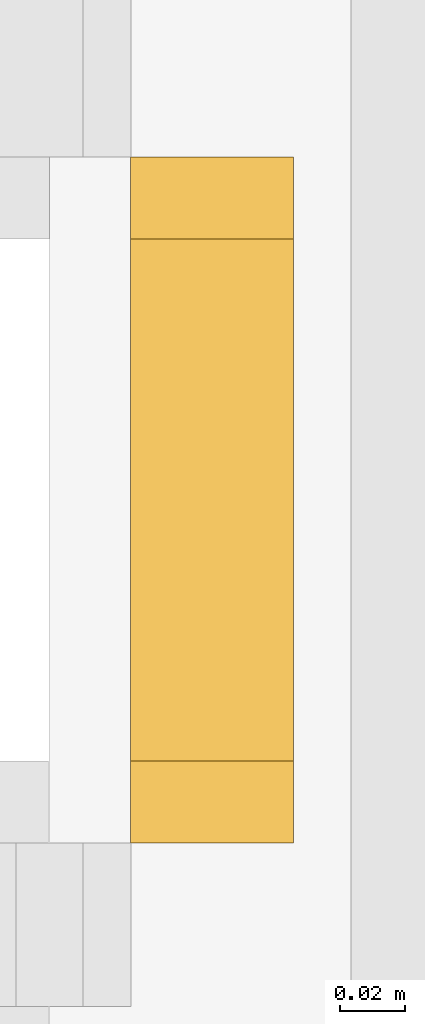
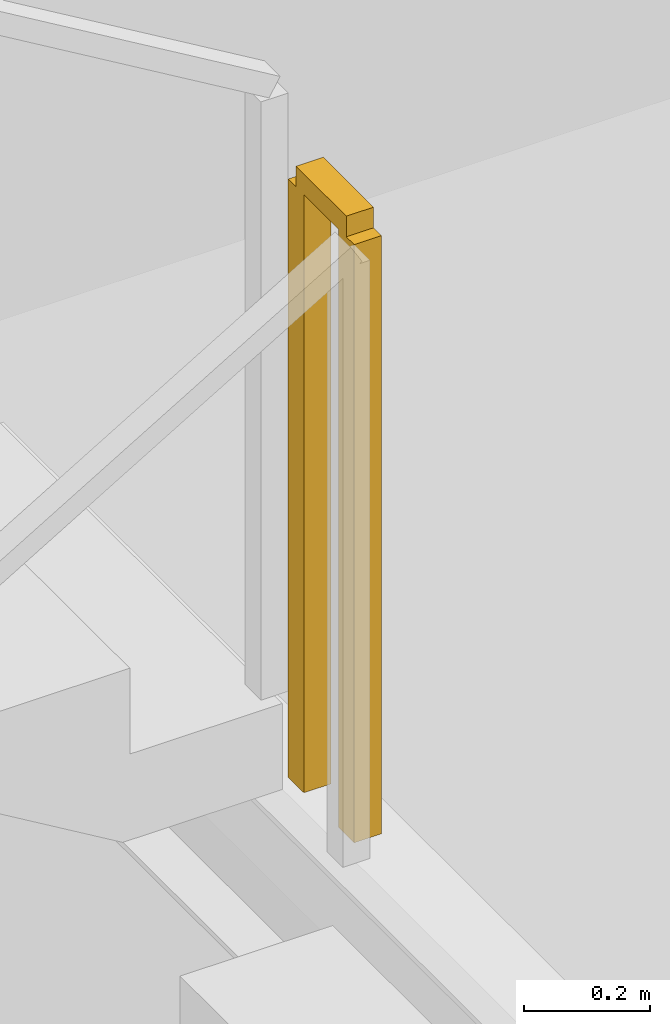
# One storey, part 39 of 42: 1 railing.
"""IFC4 building model written with IfcOpenShell, lengths in metres."""

from ifc_helpers import new_model, si_unit, direction, frame, origin, origin_2d, place, context, subcontext, project, spatial, rectangle, extrude, material, type_object, element, save


model = new_model("IFC4")

# Units and contexts
model_context = context("Model", 3, precision=1e-05, world=origin(), true_north=direction((0.0, 1.0)))
body_context = subcontext(model_context, "Body", "Model", "MODEL_VIEW")
ifc_project = project(units=[si_unit("LENGTHUNIT", "METRE"), si_unit("AREAUNIT", "SQUARE_METRE"), si_unit("VOLUMEUNIT", "CUBIC_METRE"), si_unit("PLANEANGLEUNIT", "RADIAN"), si_unit("MASSUNIT", "GRAM", prefix="KILO")], contexts=[model_context])

# Site, building, storey
site_placement = place(None, origin())
site = spatial("IfcSite", under=ifc_project, at=site_placement, CompositionType="ELEMENT")
building_placement = place(site_placement, origin())
building = spatial("IfcBuilding", under=site, at=building_placement, Name="Qianvela Tower", CompositionType="ELEMENT")
storey_placement = place(building_placement, frame((0.0, 0.0, 6.0)))
storey = spatial("IfcBuildingStorey", under=building, at=storey_placement, Name="L01", CompositionType="ELEMENT", Elevation=6.0)

# Railing
ifc_material = material(Name="Painted Tubular Steel Q355B", Category="steel")
railing_type = type_object("IfcRailingType", Name="RL-STAIR-GUARD-1200", PredefinedType="GUARDRAIL", material=ifc_material)
railing_placement = place(storey_placement, frame((35.389892578125, 26.35009765625, 2.5)))
element("IfcRailing", 1, at=railing_placement, inside=storey, type_object=railing_type, Name="L01 ST-2 stair guard 2", PredefinedType="GUARDRAIL", context=body_context, shape_type="SweptSolid", body=[
    extrude(rectangle(XDim=0.050048828125, YDim=0.0400390625, at=origin_2d()), frame((0.0, 0.0, 1.179931640625), z_axis=(0.0, 1.0, 0.0), x_axis=(-1.0, 0.0, 0.0)), (0.0, 0.0, 1.0), 0.159912109375),
    extrude(rectangle(XDim=0.050048828125, YDim=0.050048828125, at=origin_2d()), origin(), (0.0, 0.0, 1.0), 1.159912109375),
    extrude(rectangle(XDim=0.050048828125, YDim=0.050048828125, at=origin_2d()), frame((0.0, 0.159912109375, 0.0)), (0.0, 0.0, 1.0), 1.159912109375),
])

save(model, "model.ifc")
